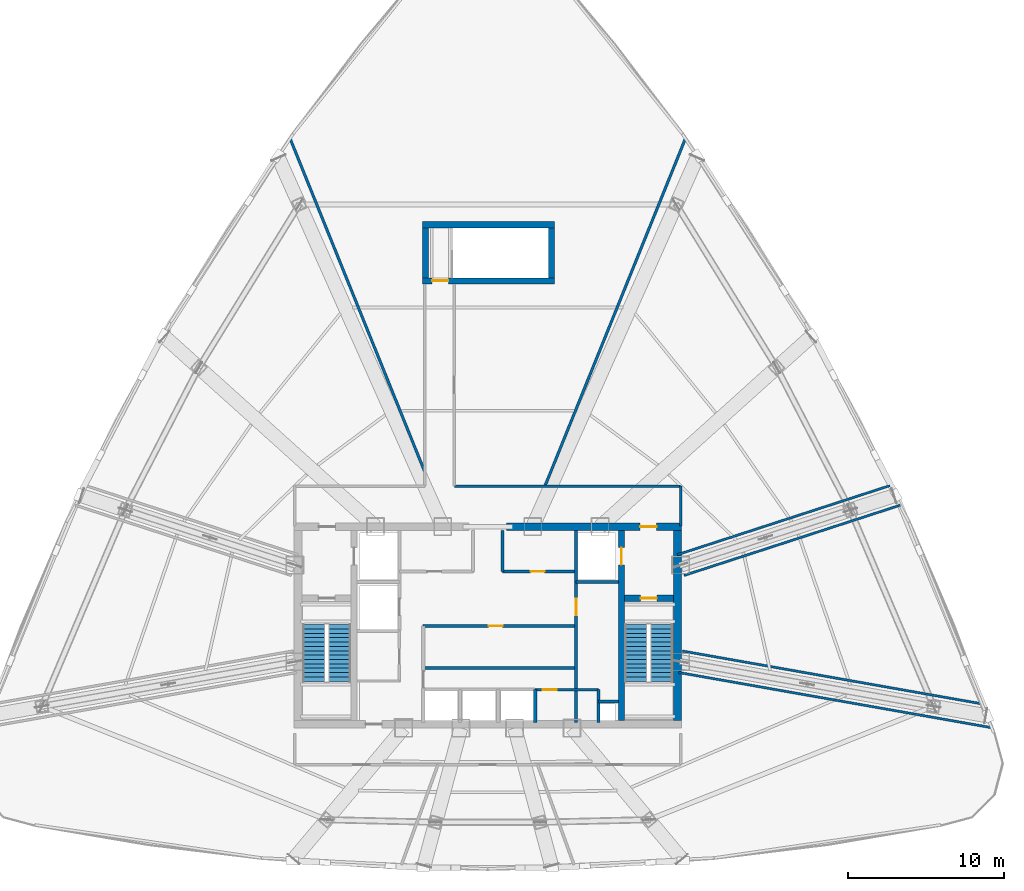
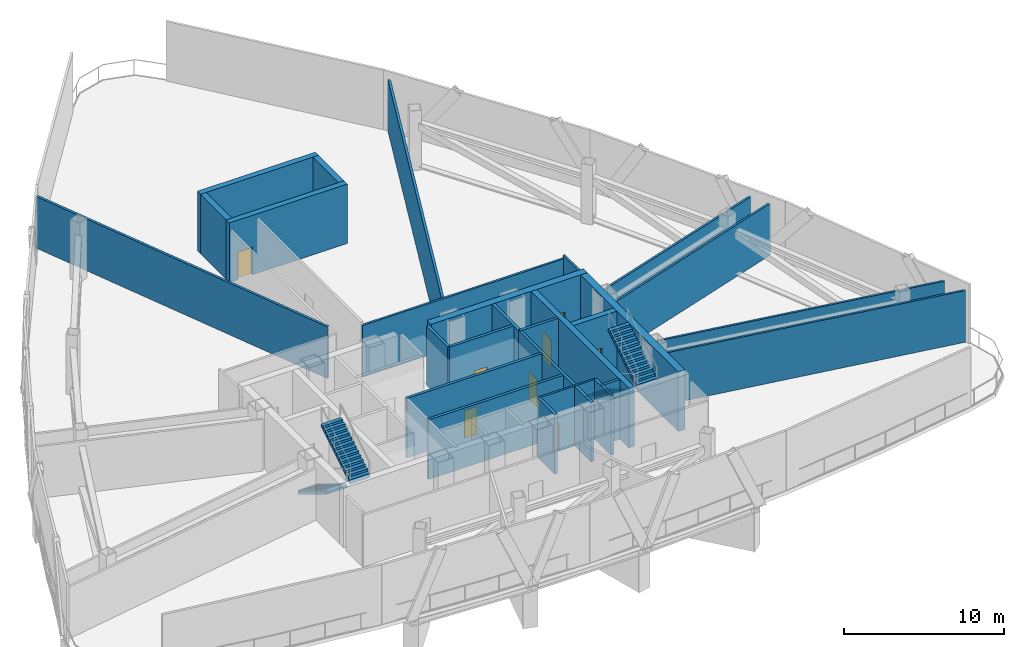
# One storey, part 9 of 13: 27 walls, 8 doors, 4 stair flights, 8 openings, 2 elements without a shape of their own.
"""IFC4 building model written with IfcOpenShell, lengths in metres."""

from ifc_helpers import new_model, si_unit, direction, frame, frame_2d, origin, origin_with_axes, place, context, subcontext, project, spatial, polyline, rectangle, outline, extrude, source, transform, mapped, material, layer, layer_set, type_object, element, fill, aggregate, save


model = new_model("IFC4")

# Units and contexts
model_context = context("Model", 3, precision=1e-05, world=origin(), true_north=direction((0.0, 1.0)))
body_context = subcontext(model_context, "Body", "Model", "MODEL_VIEW")
ifc_project = project(units=[si_unit("LENGTHUNIT", "METRE"), si_unit("AREAUNIT", "SQUARE_METRE"), si_unit("VOLUMEUNIT", "CUBIC_METRE"), si_unit("PLANEANGLEUNIT", "RADIAN"), si_unit("MASSUNIT", "GRAM", prefix="KILO"), si_unit("THERMODYNAMICTEMPERATUREUNIT", "KELVIN"), si_unit("POWERUNIT", "WATT")], contexts=[model_context])

# Site, building, storey
site_placement = place(None, origin())
site = spatial("IfcSite", under=ifc_project, at=site_placement, CompositionType="ELEMENT")
building_placement = place(site_placement, origin())
building = spatial("IfcBuilding", under=site, at=building_placement, Name="Yunzhuo Pagoda Commons", CompositionType="ELEMENT")
storey_placement = place(building_placement, frame((0.0, 0.0, 272.760009765625)))
storey = spatial("IfcBuildingStorey", under=building, at=storey_placement, Name="L68", CompositionType="ELEMENT", Elevation=272.760009765625)

# Wall, opening, door
ifc_material_1 = material(Name="Concrete C50", Category="concrete")
ifc_layer_1 = layer(ifc_material_1, 0.5)
ifc_layer_set_1 = layer_set([ifc_layer_1], Name="Concrete C50")
wall_type_1 = type_object("IfcWallType", Name="W-C03 Upper Core Shear Wall 500", PredefinedType="SHEAR", material=ifc_layer_set_1)
wall_1_placement = place(storey_placement, frame((49.199951171875, 40.199951171875, 0.0), z_axis=(0.0, 0.0, 1.0), x_axis=(1.0, 0.0, 0.0)))
wall_1 = element("IfcWall", 1, at=wall_1_placement, inside=storey, type_object=wall_type_1, Name="L68 core shear wall NE", PredefinedType="SHEAR", context=body_context, shape_type="SweptSolid", body=[
    extrude(rectangle(XDim=11.25, YDim=0.5, at=frame_2d((5.625, 0.0))), origin(), (0.0, 0.0, 1.0), 4.5400390625),
])
opening_1_placement = place(wall_1_placement, frame((8.60009765625, 0.0, 0.0)))
opening_1 = element("IfcOpeningElement", 2, at=opening_1_placement, cuts=wall_1, Name="Opening D-02", PredefinedType="OPENING", context=body_context, shape_type="SweptSolid", body=[
    extrude(rectangle(XDim=1.050048828125, YDim=2.10009765625, at=frame_2d((0.52490234375, 1.050048828125))), frame((0.0, 0.260009765625, 0.0), z_axis=(0.0, -1.0, 0.0), x_axis=(1.0, 0.0, 0.0)), (0.0, 0.0, 1.0), 0.52001953125),
])
ifc_material_2 = material(Name="Galvanized fire-resisting metal leaf")
door_type_1 = type_object("IfcDoorType", Name="D-02 Firefighting Lobby & Refuge Fire Door 1050x2100", OperationType="NOTDEFINED", PredefinedType="DOOR", material=ifc_material_2)
shared_shape_1 = source(origin(), body_context, "Body", "SweptSolid", [
    extrude(rectangle(XDim=1.050048828125, YDim=2.10009765625, at=frame_2d((0.52490234375, 1.050048828125))), frame((0.0, 0.02490234375, 0.0), z_axis=(0.0, -1.0, 0.0), x_axis=(1.0, 0.0, 0.0)), (0.0, 0.0, 1.0), 0.050048828125),
])
door_1_placement = place(opening_1_placement, frame((1.050048828125, 0.0, 0.0), z_axis=(0.0, 0.0, 1.0), x_axis=(-1.0, 0.0, 0.0)))
door_1 = element("IfcDoor", 3, at=door_1_placement, inside=storey, type_object=door_type_1, Name="L68 Firefighting Lobby 2 fire door", OperationType="SINGLE_SWING_RIGHT", OverallHeight=2.10009765625, OverallWidth=1.050048828125, PredefinedType="DOOR", context=body_context, shape_type="MappedRepresentation", body=[
    mapped(shared_shape_1, transform((0.0, 0.0, 0.0), scale=1.0)),
])
fill(opening_1, door_1)

# Wall
wall_2_placement = place(storey_placement, frame((60.199951171875, 27.75, 0.0), z_axis=(0.0, 0.0, 1.0), x_axis=(0.0, 1.0, 0.0)))
element("IfcWall", 4, at=wall_2_placement, inside=storey, type_object=wall_type_1, Name="L68 core shear wall E", PredefinedType="SHEAR", context=body_context, shape_type="SweptSolid", body=[
    extrude(rectangle(XDim=12.199951171875, YDim=0.5, at=frame_2d((6.10009765625, 0.0))), origin(), (0.0, 0.0, 1.0), 4.5400390625),
])

# Wall, opening, door
ifc_material_3 = material(Name="Gypsum plasterboard on acoustic stud")
ifc_layer_2 = layer(ifc_material_3, 0.14990234375)
ifc_layer_set_2 = layer_set([ifc_layer_2], Name="Gypsum plasterboard on acoustic stud")
wall_type_2 = type_object("IfcWallType", Name="W-COR3 High-Zone Rated Corridor Wall 150", PredefinedType="PARTITIONING", material=ifc_layer_set_2)
wall_3_placement = place(storey_placement, frame((51.050048828125, 29.719970703125, 0.0), z_axis=(0.0, 0.0, 1.0), x_axis=(1.0, 0.0, 0.0)))
wall_3 = element("IfcWall", 5, at=wall_3_placement, inside=storey, type_object=wall_type_2, Name="L68 interior wall IW-L68-CSES", PredefinedType="PARTITIONING", context=body_context, shape_type="SweptSolid", body=[
    extrude(rectangle(XDim=4.070068359375, YDim=0.14990234375, at=frame_2d((2.03515625, 0.0))), origin(), (0.0, 0.0, 1.0), 4.5400390625),
])
opening_2_placement = place(wall_3_placement, frame((0.5, 0.0, 0.0)))
opening_2 = element("IfcOpeningElement", 6, at=opening_2_placement, cuts=wall_3, Name="Opening D-03", PredefinedType="OPENING", context=body_context, shape_type="SweptSolid", body=[
    extrude(rectangle(XDim=0.89990234375, YDim=2.10009765625, at=frame_2d((0.449951171875, 1.050048828125))), frame((0.0, 0.0849609375, 0.0), z_axis=(0.0, -1.0, 0.0), x_axis=(1.0, 0.0, 0.0)), (0.0, 0.0, 1.0), 0.169921875),
])
door_type_2 = type_object("IfcDoorType", Name="D-03 Core Service Fire Door 900x2100", OperationType="NOTDEFINED", PredefinedType="DOOR", material=ifc_material_2)
shared_shape_2 = source(origin(), body_context, "Body", "SweptSolid", [
    extrude(rectangle(XDim=0.89990234375, YDim=2.10009765625, at=frame_2d((0.449951171875, 1.050048828125))), frame((0.0, 0.02490234375, 0.0), z_axis=(0.0, -1.0, 0.0), x_axis=(1.0, 0.0, 0.0)), (0.0, 0.0, 1.0), 0.050048828125),
])
door_2_placement = place(opening_2_placement, origin_with_axes())
door_2 = element("IfcDoor", 7, at=door_2_placement, inside=storey, type_object=door_type_2, Name="L68 cleaner store door", OperationType="SINGLE_SWING_LEFT", OverallHeight=2.10009765625, OverallWidth=0.89990234375, PredefinedType="DOOR", context=body_context, shape_type="MappedRepresentation", body=[
    mapped(shared_shape_2, transform((0.0, 0.0, 0.0), scale=1.0)),
])
fill(opening_2, door_2)

# Walls
wall_4_placement = place(storey_placement, frame((60.2783203125, 30.82421875, 0.0), z_axis=(0.0, 0.0, 1.0), x_axis=(0.984809067339, -0.173640723585, 0.0)))
element("IfcWall", 8, at=wall_4_placement, inside=storey, type_object=wall_type_2, Name="L68 interior wall IW-L68-OTW01", PredefinedType="PARTITIONING", context=body_context, shape_type="SweptSolid", body=[
    extrude(rectangle(XDim=20.41796875, YDim=0.14990234375, at=frame_2d((10.208984375, 0.0))), origin(), (0.0, 0.0, 1.0), 3.93994140625),
])
wall_5_placement = place(storey_placement, frame((60.521484375, 32.202880859375, 0.0), z_axis=(0.0, 0.0, 1.0), x_axis=(0.984807439985, -0.173649952923, 0.0)))
element("IfcWall", 9, at=wall_5_placement, inside=storey, type_object=wall_type_2, Name="L68 interior wall IW-L68-OTW02", PredefinedType="PARTITIONING", context=body_context, shape_type="SweptSolid", body=[
    extrude(rectangle(XDim=19.546630859375, YDim=0.14990234375, at=frame_2d((9.7734375, 0.0))), origin(), (0.0, 0.0, 1.0), 3.93994140625),
])
wall_6_placement = place(storey_placement, frame((60.6162109375, 37.063232421875, 0.0), z_axis=(0.0, 0.0, 1.0), x_axis=(0.951059119768, 0.309008981593, 0.0)))
element("IfcWall", 10, at=wall_6_placement, inside=storey, type_object=wall_type_2, Name="L68 interior wall IW-L68-OTW03", PredefinedType="PARTITIONING", context=body_context, shape_type="SweptSolid", body=[
    extrude(rectangle(XDim=14.6083984375, YDim=0.14990234375, at=frame_2d((7.30419921875, 0.0))), origin(), (0.0, 0.0, 1.0), 3.93994140625),
])
wall_7_placement = place(storey_placement, frame((60.18359375, 38.394775390625, 0.0), z_axis=(0.0, 0.0, 1.0), x_axis=(0.951057405092, 0.309014258927, 0.0)))
element("IfcWall", 11, at=wall_7_placement, inside=storey, type_object=wall_type_2, Name="L68 interior wall IW-L68-OTW04", PredefinedType="PARTITIONING", context=body_context, shape_type="SweptSolid", body=[
    extrude(rectangle(XDim=14.375244140625, YDim=0.14990234375, at=frame_2d((7.1875, 0.0))), origin(), (0.0, 0.0, 1.0), 3.93994140625),
])
wall_8_placement = place(storey_placement, frame((45.85009765625, 42.800048828125, 0.0), z_axis=(0.0, 0.0, 1.0), x_axis=(1.0, 0.0, 0.0)))
element("IfcWall", 12, at=wall_8_placement, inside=storey, type_object=wall_type_2, Name="L68 interior wall IW-L68-SCW05", PredefinedType="PARTITIONING", context=body_context, shape_type="SweptSolid", body=[
    extrude(rectangle(XDim=14.5498046875, YDim=0.14990234375, at=frame_2d((7.27490234375, 0.0))), origin(), (0.0, 0.0, 1.0), 3.93994140625),
])
wall_9_placement = place(storey_placement, frame((60.39990234375, 42.800048828125, 0.0), z_axis=(0.0, 0.0, 1.0), x_axis=(0.0, -1.0, 0.0)))
element("IfcWall", 13, at=wall_9_placement, inside=storey, type_object=wall_type_2, Name="L68 interior wall IW-L68-SCW06", PredefinedType="PARTITIONING", context=body_context, shape_type="SweptSolid", body=[
    extrude(rectangle(XDim=2.550048828125, YDim=0.14990234375, at=frame_2d((1.27490234375, 0.0))), origin(), (0.0, 0.0, 1.0), 4.18994140625),
])
ifc_layer_3 = layer(ifc_material_3, 0.169921875)
ifc_layer_set_3 = layer_set([ifc_layer_3], Name="Gypsum plasterboard on acoustic stud")
wall_type_3 = type_object("IfcWallType", Name="W-PRT4 High-Zone Demising Wall 170", PredefinedType="PARTITIONING", material=ifc_layer_set_3)
wall_10_placement = place(storey_placement, frame((51.676513671875, 42.800048828125, 0.0), z_axis=(0.0, 0.0, 1.0), x_axis=(0.374618158303, 0.927179181965, 0.0)))
element("IfcWall", 14, at=wall_10_placement, inside=storey, type_object=wall_type_3, Name="L68 interior wall IW-L68-SRAD1", PredefinedType="PARTITIONING", context=body_context, shape_type="SweptSolid", body=[
    extrude(rectangle(XDim=24.09814453125, YDim=0.169921875, at=frame_2d((12.049072265625, 0.0))), origin(), (0.0, 0.0, 1.0), 3.93994140625),
])
wall_11_placement = place(storey_placement, frame((43.949951171875, 43.72412109375, 0.0), z_axis=(0.0, 0.0, 1.0), x_axis=(-0.374611745878, 0.92718177282, 0.0)))
element("IfcWall", 15, at=wall_11_placement, inside=storey, type_object=wall_type_3, Name="L68 interior wall IW-L68-SRAD2", PredefinedType="PARTITIONING", context=body_context, shape_type="SweptSolid", body=[
    extrude(rectangle(XDim=23.101318359375, YDim=0.169921875, at=frame_2d((11.55078125, 0.0))), origin(), (0.0, 0.0, 1.0), 3.93994140625),
])

# Wall, opening, door
ifc_material_4 = material(Name="Concrete C60", Category="concrete")
ifc_layer_4 = layer(ifc_material_4, 0.39990234375)
ifc_layer_set_4 = layer_set([ifc_layer_4], Name="Concrete C60")
wall_type_4 = type_object("IfcWallType", Name="W-S01 Internal Core Shear Web 400", PredefinedType="SHEAR", material=ifc_layer_set_4)
wall_12_placement = place(storey_placement, frame((56.60009765625, 27.75, 0.0), z_axis=(0.0, 0.0, 1.0), x_axis=(0.0, 1.0, 0.0)))
wall_12 = element("IfcWall", 16, at=wall_12_placement, inside=storey, type_object=wall_type_4, Name="L68 core shear wall WEBE", PredefinedType="SHEAR", context=body_context, shape_type="SweptSolid", body=[
    extrude(rectangle(XDim=12.199951171875, YDim=0.39990234375, at=frame_2d((6.10009765625, 0.0))), origin(), (0.0, 0.0, 1.0), 4.5400390625),
])
opening_3_placement = place(wall_12_placement, frame((10.0, 0.0, 0.0)))
opening_3 = element("IfcOpeningElement", 17, at=opening_3_placement, cuts=wall_12, Name="Opening LD-01", PredefinedType="OPENING", context=body_context, shape_type="SweptSolid", body=[
    extrude(rectangle(XDim=1.10009765625, YDim=2.10009765625, at=frame_2d((0.550048828125, 1.050048828125))), frame((0.0, 0.2099609375, 0.0), z_axis=(0.0, -1.0, 0.0), x_axis=(1.0, 0.0, 0.0)), (0.0, 0.0, 1.0), 0.419921875),
])
door_type_3 = type_object("IfcDoorType", Name="LD-01 Firefighting Lift Landing Door 1100x2100", OperationType="DOUBLE_DOOR_SLIDING", PredefinedType="DOOR", material=ifc_material_2)
shared_shape_3 = source(origin(), body_context, "Body", "SweptSolid", [
    extrude(rectangle(XDim=1.10009765625, YDim=2.10009765625, at=frame_2d((0.550048828125, 1.050048828125))), frame((0.0, 0.02490234375, 0.0), z_axis=(0.0, -1.0, 0.0), x_axis=(1.0, 0.0, 0.0)), (0.0, 0.0, 1.0), 0.050048828125),
])
door_3_placement = place(opening_3_placement, origin_with_axes())
door_3 = element("IfcDoor", 18, at=door_3_placement, inside=storey, type_object=door_type_3, Name="L68 Firefighting lift FL-2 landing door", OperationType="DOUBLE_DOOR_SLIDING", OverallHeight=2.10009765625, OverallWidth=1.10009765625, PredefinedType="DOOR", context=body_context, shape_type="MappedRepresentation", body=[
    mapped(shared_shape_3, transform((0.0, 0.0, 0.0), scale=1.0)),
])
fill(opening_3, door_3)

wall_13_placement = place(storey_placement, frame((56.800048828125, 35.60009765625, 0.0), z_axis=(0.0, 0.0, 1.0), x_axis=(1.0, 0.0, 0.0)))
wall_13 = element("IfcWall", 19, at=wall_13_placement, inside=storey, type_object=wall_type_4, Name="L68 core shear wall STE", PredefinedType="SHEAR", context=body_context, shape_type="SweptSolid", body=[
    extrude(rectangle(XDim=3.14990234375, YDim=0.39990234375, at=frame_2d((1.574951171875, 0.0))), origin(), (0.0, 0.0, 1.0), 4.5400390625),
])
opening_4_placement = place(wall_13_placement, frame((1.02001953125, 0.0, 0.0)))
opening_4 = element("IfcOpeningElement", 20, at=opening_4_placement, cuts=wall_13, Name="Opening D-01", PredefinedType="OPENING", context=body_context, shape_type="SweptSolid", body=[
    extrude(rectangle(XDim=1.050048828125, YDim=2.10009765625, at=frame_2d((0.52490234375, 1.050048828125))), frame((0.0, 0.2099609375, 0.0), z_axis=(0.0, -1.0, 0.0), x_axis=(1.0, 0.0, 0.0)), (0.0, 0.0, 1.0), 0.419921875),
])
door_type_4 = type_object("IfcDoorType", Name="D-01 Smokeproof Stair Fire Door 1050x2100", OperationType="NOTDEFINED", PredefinedType="DOOR", material=ifc_material_2)
door_4_placement = place(opening_4_placement, frame((1.050048828125, 0.0, 0.0), z_axis=(0.0, 0.0, 1.0), x_axis=(-1.0, 0.0, 0.0)))
door_4 = element("IfcDoor", 21, at=door_4_placement, inside=storey, type_object=door_type_4, Name="L68 Stair ST2 fire door", OperationType="SINGLE_SWING_RIGHT", OverallHeight=2.10009765625, OverallWidth=1.050048828125, PredefinedType="DOOR", context=body_context, shape_type="MappedRepresentation", body=[
    mapped(shared_shape_1, transform((0.0, 0.0, 0.0), scale=1.0)),
])
fill(opening_4, door_4)

# Wall
wall_14_placement = place(storey_placement, frame((43.800048828125, 59.60009765625, 0.0), z_axis=(0.0, 0.0, 1.0), x_axis=(1.0, 0.0, 0.0)))
element("IfcWall", 22, at=wall_14_placement, inside=storey, type_object=wall_type_4, Name="L68 ST3 structural stair wall N", PredefinedType="SHEAR", context=body_context, shape_type="SweptSolid", body=[
    extrude(rectangle(XDim=8.5, YDim=0.39990234375, at=frame_2d((4.25, 0.0))), origin(), (0.0, 0.0, 1.0), 4.5400390625),
])

# Wall, opening, door
wall_15_placement = place(storey_placement, frame((43.800048828125, 56.0, 0.0), z_axis=(0.0, 0.0, 1.0), x_axis=(1.0, 0.0, 0.0)))
wall_15 = element("IfcWall", 23, at=wall_15_placement, inside=storey, type_object=wall_type_4, Name="L68 ST3 structural stair wall S", PredefinedType="SHEAR", context=body_context, shape_type="SweptSolid", body=[
    extrude(rectangle(XDim=8.5, YDim=0.39990234375, at=frame_2d((4.25, 0.0))), origin(), (0.0, 0.0, 1.0), 4.5400390625),
])
opening_5_placement = place(wall_15_placement, frame((0.6201171875, 0.0, 0.0)))
opening_5 = element("IfcOpeningElement", 24, at=opening_5_placement, cuts=wall_15, Name="Opening D-01", PredefinedType="OPENING", context=body_context, shape_type="SweptSolid", body=[
    extrude(rectangle(XDim=1.050048828125, YDim=2.10009765625, at=frame_2d((0.52490234375, 1.050048828125))), frame((0.0, 0.2099609375, 0.0), z_axis=(0.0, -1.0, 0.0), x_axis=(1.0, 0.0, 0.0)), (0.0, 0.0, 1.0), 0.419921875),
])
door_5_placement = place(opening_5_placement, frame((1.050048828125, 0.0, 0.0), z_axis=(0.0, 0.0, 1.0), x_axis=(-1.0, 0.0, 0.0)))
door_5 = element("IfcDoor", 25, at=door_5_placement, inside=storey, type_object=door_type_4, Name="L68 Stair ST3 fire door", OperationType="SINGLE_SWING_LEFT", OverallHeight=2.10009765625, OverallWidth=1.050048828125, PredefinedType="DOOR", context=body_context, shape_type="MappedRepresentation", body=[
    mapped(shared_shape_1, transform((0.0, 0.0, 0.0), scale=1.0)),
])
fill(opening_5, door_5)

# Walls
for number, where, z_axis, x_axis, name in (
    (26, (44.0, 56.199951171875, 0.0), (0.0, 0.0, 1.0), (0.0, 1.0, 0.0), "L68 ST3 structural stair wall W"),
    (27, (52.10009765625, 56.199951171875, 0.0), (0.0, 0.0, 1.0), (0.0, 1.0, 0.0), "L68 ST3 structural stair wall E"),
):
    element("IfcWall", number, at=place(storey_placement, frame(where, z_axis=z_axis, x_axis=x_axis)), inside=storey, type_object=wall_type_4, Name=name, PredefinedType="SHEAR", context=body_context, shape_type="SweptSolid", body=[
        extrude(rectangle(XDim=3.199951171875, YDim=0.39990234375, at=frame_2d((1.60009765625, 0.0))), origin(), (0.0, 0.0, 1.0), 4.5400390625),
    ])
ifc_material_5 = material(Name="Concrete C40", Category="concrete")
ifc_layer_5 = layer(ifc_material_5, 0.199951171875)
ifc_layer_set_5 = layer_set([ifc_layer_5], Name="Concrete C40")
wall_type_5 = type_object("IfcWallType", Name="W-SHF Shaft & Stair Enclosure Wall 200", PredefinedType="SOLIDWALL", material=ifc_layer_set_5)
wall_16_placement = place(storey_placement, frame((53.679931640625, 36.64990234375, 0.0), z_axis=(0.0, 0.0, 1.0), x_axis=(0.0, 1.0, 0.0)))
element("IfcWall", 28, at=wall_16_placement, inside=storey, type_object=wall_type_5, Name="L68 interior wall IW-L68-FL2W", PredefinedType="SOLIDWALL", context=body_context, shape_type="SweptSolid", body=[
    extrude(rectangle(XDim=3.300048828125, YDim=0.199951171875, at=frame_2d((1.64990234375, 0.0))), origin(), (0.0, 0.0, 1.0), 4.5400390625),
])
wall_17_placement = place(storey_placement, frame((53.679931640625, 36.64990234375, 0.0), z_axis=(0.0, 0.0, 1.0), x_axis=(1.0, 0.0, 0.0)))
element("IfcWall", 29, at=wall_17_placement, inside=storey, type_object=wall_type_5, Name="L68 interior wall IW-L68-FL2S", PredefinedType="SOLIDWALL", context=body_context, shape_type="SweptSolid", body=[
    extrude(rectangle(XDim=2.719970703125, YDim=0.199951171875, at=frame_2d((1.35986328125, 0.0))), origin(), (0.0, 0.0, 1.0), 4.5400390625),
])

# Wall, opening, door
wall_18_placement = place(storey_placement, frame((48.949951171875, 37.320068359375, 0.0), z_axis=(0.0, 0.0, 1.0), x_axis=(1.0, 0.0, 0.0)))
wall_18 = element("IfcWall", 30, at=wall_18_placement, inside=storey, type_object=wall_type_5, Name="L68 interior wall IW-L68-LBNE", PredefinedType="SOLIDWALL", context=body_context, shape_type="SweptSolid", body=[
    extrude(rectangle(XDim=4.72998046875, YDim=0.199951171875, at=frame_2d((2.364990234375, 0.0))), origin(), (0.0, 0.0, 1.0), 4.5400390625),
])
opening_6_placement = place(wall_18_placement, frame((1.800048828125, 0.0, 0.0)))
opening_6 = element("IfcOpeningElement", 31, at=opening_6_placement, cuts=wall_18, Name="Opening D-03", PredefinedType="OPENING", context=body_context, shape_type="SweptSolid", body=[
    extrude(rectangle(XDim=0.89990234375, YDim=2.10009765625, at=frame_2d((0.449951171875, 1.050048828125))), frame((0.0, 0.10986328125, 0.0), z_axis=(0.0, -1.0, 0.0), x_axis=(1.0, 0.0, 0.0)), (0.0, 0.0, 1.0), 0.219970703125),
])
door_6_placement = place(opening_6_placement, frame((0.89990234375, 0.0, 0.0), z_axis=(0.0, 0.0, 1.0), x_axis=(-1.0, 0.0, 0.0)))
door_6 = element("IfcDoor", 32, at=door_6_placement, inside=storey, type_object=door_type_2, Name="L68 core east store door", OperationType="SINGLE_SWING_RIGHT", OverallHeight=2.10009765625, OverallWidth=0.89990234375, PredefinedType="DOOR", context=body_context, shape_type="MappedRepresentation", body=[
    mapped(shared_shape_2, transform((0.0, 0.0, 0.0), scale=1.0)),
])
fill(opening_6, door_6)

# Wall
wall_19_placement = place(storey_placement, frame((48.949951171875, 37.320068359375, 0.0), z_axis=(0.0, 0.0, 1.0), x_axis=(0.0, 1.0, 0.0)))
element("IfcWall", 33, at=wall_19_placement, inside=storey, type_object=wall_type_5, Name="L68 interior wall IW-L68-THRE", PredefinedType="SOLIDWALL", context=body_context, shape_type="SweptSolid", body=[
    extrude(rectangle(XDim=2.6298828125, YDim=0.199951171875, at=frame_2d((1.31494140625, 0.0))), origin(), (0.0, 0.0, 1.0), 4.5400390625),
])

# Wall, opening, door
wall_20_placement = place(storey_placement, frame((43.85009765625, 33.820068359375, 0.0), z_axis=(0.0, 0.0, 1.0), x_axis=(1.0, 0.0, 0.0)))
wall_20 = element("IfcWall", 34, at=wall_20_placement, inside=storey, type_object=wall_type_5, Name="L68 interior wall IW-L68-MLBS", PredefinedType="SOLIDWALL", context=body_context, shape_type="SweptSolid", body=[
    extrude(rectangle(XDim=9.829833984375, YDim=0.199951171875, at=frame_2d((4.9150390625, 0.0))), origin(), (0.0, 0.0, 1.0), 4.5400390625),
])
opening_7_placement = place(wall_20_placement, frame((4.199951171875, 0.0, 0.0)))
opening_7 = element("IfcOpeningElement", 35, at=opening_7_placement, cuts=wall_20, Name="Opening D-03", PredefinedType="OPENING", context=body_context, shape_type="SweptSolid", body=[
    extrude(rectangle(XDim=0.89990234375, YDim=2.10009765625, at=frame_2d((0.449951171875, 1.050048828125))), frame((0.0, 0.10986328125, 0.0), z_axis=(0.0, -1.0, 0.0), x_axis=(1.0, 0.0, 0.0)), (0.0, 0.0, 1.0), 0.219970703125),
])
door_7_placement = place(opening_7_placement, origin_with_axes())
door_7 = element("IfcDoor", 36, at=door_7_placement, inside=storey, type_object=door_type_2, Name="L68 core archive store door", OperationType="SINGLE_SWING_LEFT", OverallHeight=2.10009765625, OverallWidth=0.89990234375, PredefinedType="DOOR", context=body_context, shape_type="MappedRepresentation", body=[
    mapped(shared_shape_2, transform((0.0, 0.0, 0.0), scale=1.0)),
])
fill(opening_7, door_7)

wall_21_placement = place(storey_placement, frame((53.679931640625, 27.60009765625, 0.0), z_axis=(0.0, 0.0, 1.0), x_axis=(0.0, 1.0, 0.0)))
wall_21 = element("IfcWall", 37, at=wall_21_placement, inside=storey, type_object=wall_type_5, Name="L68 interior wall IW-L68-PLME", PredefinedType="SOLIDWALL", context=body_context, shape_type="SweptSolid", body=[
    extrude(rectangle(XDim=9.0498046875, YDim=0.199951171875, at=frame_2d((4.52490234375, 0.0))), origin(), (0.0, 0.0, 1.0), 4.5400390625),
])
opening_8_placement = place(wall_21_placement, frame((6.89990234375, 0.0, 0.0)))
opening_8 = element("IfcOpeningElement", 38, at=opening_8_placement, cuts=wall_21, Name="Opening D-02", PredefinedType="OPENING", context=body_context, shape_type="SweptSolid", body=[
    extrude(rectangle(XDim=1.050048828125, YDim=2.10009765625, at=frame_2d((0.52490234375, 1.050048828125))), frame((0.0, 0.10986328125, 0.0), z_axis=(0.0, -1.0, 0.0), x_axis=(1.0, 0.0, 0.0)), (0.0, 0.0, 1.0), 0.219970703125),
])
door_8_placement = place(opening_8_placement, origin_with_axes())
door_8 = element("IfcDoor", 39, at=door_8_placement, inside=storey, type_object=door_type_1, Name="L68 High-bank lift hall door", OperationType="SINGLE_SWING_RIGHT", OverallHeight=2.10009765625, OverallWidth=1.050048828125, PredefinedType="DOOR", context=body_context, shape_type="MappedRepresentation", body=[
    mapped(shared_shape_1, transform((0.0, 0.0, 0.0), scale=1.0)),
])
fill(opening_8, door_8)

# Walls
wall_22_placement = place(storey_placement, frame((51.050048828125, 27.60009765625, 0.0), z_axis=(0.0, 0.0, 1.0), x_axis=(0.0, 1.0, 0.0)))
element("IfcWall", 40, at=wall_22_placement, inside=storey, type_object=wall_type_5, Name="L68 interior wall IW-L68-PLHE", PredefinedType="SOLIDWALL", context=body_context, shape_type="SweptSolid", body=[
    extrude(rectangle(XDim=2.119873046875, YDim=0.199951171875, at=frame_2d((1.06005859375, 0.0))), origin(), (0.0, 0.0, 1.0), 4.5400390625),
])
wall_23_placement = place(storey_placement, frame((43.85009765625, 31.1201171875, 0.0), z_axis=(0.0, 0.0, 1.0), x_axis=(1.0, 0.0, 0.0)))
element("IfcWall", 41, at=wall_23_placement, inside=storey, type_object=wall_type_5, Name="L68 interior wall IW-L68-PLMS2", PredefinedType="SOLIDWALL", context=body_context, shape_type="SweptSolid", body=[
    extrude(rectangle(XDim=9.829833984375, YDim=0.199951171875, at=frame_2d((4.9150390625, 0.0))), origin(), (0.0, 0.0, 1.0), 4.5400390625),
])
wall_24_placement = place(storey_placement, frame((55.1201171875, 27.60009765625, 0.0), z_axis=(0.0, 0.0, 1.0), x_axis=(0.0, 1.0, 0.0)))
element("IfcWall", 42, at=wall_24_placement, inside=storey, type_object=wall_type_5, Name="L68 interior wall IW-L68-RSHFW", PredefinedType="SOLIDWALL", context=body_context, shape_type="SweptSolid", body=[
    extrude(rectangle(XDim=2.119873046875, YDim=0.199951171875, at=frame_2d((1.06005859375, 0.0))), origin(), (0.0, 0.0, 1.0), 4.5400390625),
])
wall_25_placement = place(storey_placement, frame((55.1201171875, 28.949951171875, 0.0), z_axis=(0.0, 0.0, 1.0), x_axis=(1.0, 0.0, 0.0)))
element("IfcWall", 43, at=wall_25_placement, inside=storey, type_object=wall_type_5, Name="L68 interior wall IW-L68-RSHFN", PredefinedType="SOLIDWALL", context=body_context, shape_type="SweptSolid", body=[
    extrude(rectangle(XDim=1.27978515625, YDim=0.199951171875, at=frame_2d((0.639892578125, 0.0))), origin(), (0.0, 0.0, 1.0), 4.5400390625),
])

# Stair, stair flights
stair_type_1 = type_object("IfcStairType", Name="ST-C1 Core Smokeproof Stair ST1", PredefinedType="HALF_TURN_STAIR", material=ifc_material_5)
stair_1_placement = place(storey_placement, origin())
stair_1 = element("IfcStair", 44, at=stair_1_placement, inside=storey, type_object=stair_type_1, Name="L68 Core smokeproof stair ST1", PredefinedType="HALF_TURN_STAIR")
stair_flight_type_1 = type_object("IfcStairFlightType", Name="STF-C1 Core Stair Flight 1450", PredefinedType="STRAIGHT", material=ifc_material_5)
shared_shape_4 = source(origin(), body_context, "Body", "SweptSolid", [
    extrude(outline(polyline([(0.0, -0.14990234375), (0.0, 0.0), (0.0, 0.17138671875), (0.280029296875, 0.17138671875), (0.280029296875, 0.3427734375), (0.56005859375, 0.3427734375), (0.56005859375, 0.514404296875), (0.840087890625, 0.514404296875), (0.840087890625, 0.685791015625), (1.1201171875, 0.685791015625), (1.1201171875, 0.857177734375), (1.39990234375, 0.857177734375), (1.39990234375, 1.028564453125), (1.679931640625, 1.028564453125), (1.679931640625, 1.199951171875), (1.9599609375, 1.199951171875), (1.9599609375, 1.371337890625), (2.239990234375, 1.371337890625), (2.239990234375, 1.54296875), (2.52001953125, 1.54296875), (2.52001953125, 1.71435546875), (2.800048828125, 1.71435546875), (2.800048828125, 1.8857421875), (3.080078125, 1.8857421875), (3.080078125, 2.05712890625), (3.360107421875, 2.05712890625), (3.360107421875, 2.228515625), (3.639892578125, 2.228515625), (3.639892578125, 2.39990234375), (3.639892578125, 2.052734375), (0.287109375, 0.0), (0.050048828125, -0.14990234375), (0.0, -0.14990234375)])), frame((0.0, 0.72509765625, 0.0), z_axis=(0.0, -1.0, 0.0), x_axis=(1.0, 0.0, 0.0)), (0.0, 0.0, 1.0), 1.449951171875),
])
stair_flight_1_placement = place(storey_placement, frame((36.824951171875, 33.89990234375, 0.0), z_axis=(0.0, 0.0, 1.0), x_axis=(0.0, -1.0, 0.0)))
stair_flight_1 = element("IfcStairFlight", 45, at=stair_flight_1_placement, type_object=stair_flight_type_1, Name="ST1 flight 1", NumberOfRisers=14, NumberOfTreads=13, PredefinedType="STRAIGHT", RiserHeight=0.171428571, TreadLength=0.28, context=body_context, shape_type="MappedRepresentation", body=[
    mapped(shared_shape_4, transform((0.0, 0.0, 0.0), scale=1.0)),
])
stair_flight_2_placement = place(storey_placement, frame((38.47509765625, 30.260009765625, 2.39990234375), z_axis=(0.0, 0.0, 1.0), x_axis=(0.0, 1.0, 0.0)))
stair_flight_2 = element("IfcStairFlight", 46, at=stair_flight_2_placement, type_object=stair_flight_type_1, Name="ST1 flight 2", NumberOfRisers=14, NumberOfTreads=13, PredefinedType="STRAIGHT", RiserHeight=0.171428571, TreadLength=0.28, context=body_context, shape_type="MappedRepresentation", body=[
    mapped(shared_shape_4, transform((0.0, 0.0, 0.0), scale=1.0)),
])
aggregate(stair_1, [stair_flight_1, stair_flight_2])

stair_type_2 = type_object("IfcStairType", Name="ST-C2 Core Smokeproof Stair ST2", PredefinedType="HALF_TURN_STAIR", material=ifc_material_5)
stair_2_placement = place(storey_placement, origin())
stair_2 = element("IfcStair", 47, at=stair_2_placement, inside=storey, type_object=stair_type_2, Name="L68 Core smokeproof stair ST2", PredefinedType="HALF_TURN_STAIR")
stair_flight_type_2 = type_object("IfcStairFlightType", Name="STF-C2 Core Stair Flight 1460", PredefinedType="STRAIGHT", material=ifc_material_5)
stair_flight_3_placement = place(storey_placement, frame((57.52490234375, 33.89990234375, 0.0), z_axis=(0.0, 0.0, 1.0), x_axis=(0.0, -1.0, 0.0)))
stair_flight_3 = element("IfcStairFlight", 48, at=stair_flight_3_placement, type_object=stair_flight_type_2, Name="ST2 flight 1", NumberOfRisers=14, NumberOfTreads=13, PredefinedType="STRAIGHT", RiserHeight=0.171428571, TreadLength=0.28, context=body_context, shape_type="MappedRepresentation", body=[
    mapped(shared_shape_4, transform((0.0, 0.0, 0.0), scale=1.0)),
])
stair_flight_4_placement = place(storey_placement, frame((59.175048828125, 30.260009765625, 2.39990234375), z_axis=(0.0, 0.0, 1.0), x_axis=(0.0, 1.0, 0.0)))
stair_flight_4 = element("IfcStairFlight", 49, at=stair_flight_4_placement, type_object=stair_flight_type_2, Name="ST2 flight 2", NumberOfRisers=14, NumberOfTreads=13, PredefinedType="STRAIGHT", RiserHeight=0.171428571, TreadLength=0.28, context=body_context, shape_type="MappedRepresentation", body=[
    mapped(shared_shape_4, transform((0.0, 0.0, 0.0), scale=1.0)),
])
aggregate(stair_2, [stair_flight_3, stair_flight_4])

save(model, "model.ifc")
